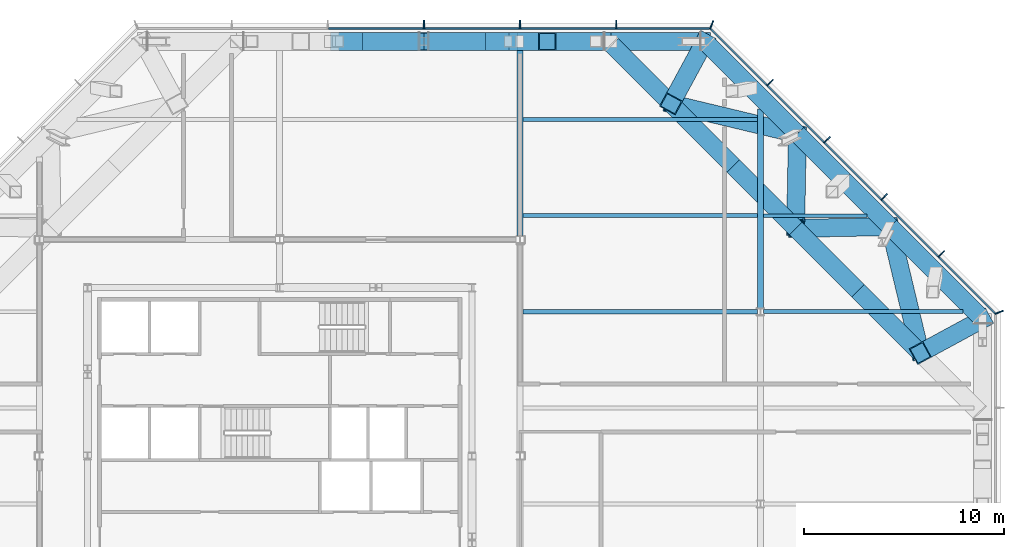
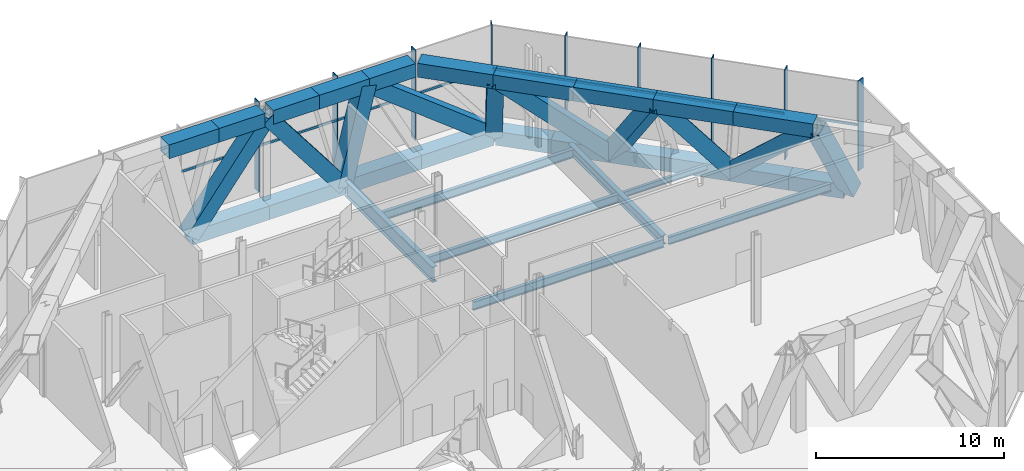
# One storey, part 8 of 18: 37 beams, 18 members, 2 elements without a shape of their own.
"""IFC4 building model written with IfcOpenShell, lengths in metres."""

from ifc_helpers import new_model, si_unit, direction, frame, origin, origin_2d, place, context, subcontext, project, spatial, rectangle, hollow_rectangle, i_section, extrude, material, material_profile, profile_set, type_object, element, aggregate, save


model = new_model("IFC4")

# Units and contexts
model_context = context("Model", 3, precision=1e-05, world=origin(), true_north=direction((0.0, 1.0)))
body_context = subcontext(model_context, "Body", "Model", "MODEL_VIEW")
ifc_project = project(units=[si_unit("LENGTHUNIT", "METRE"), si_unit("AREAUNIT", "SQUARE_METRE"), si_unit("VOLUMEUNIT", "CUBIC_METRE"), si_unit("PLANEANGLEUNIT", "RADIAN"), si_unit("MASSUNIT", "GRAM", prefix="KILO")], contexts=[model_context])

# Site, building, storey
site_placement = place(None, origin())
site = spatial("IfcSite", under=ifc_project, at=site_placement, CompositionType="ELEMENT")
building_placement = place(site_placement, origin())
building = spatial("IfcBuilding", under=site, at=building_placement, Name="Cairn Pilgrim Tower", CompositionType="ELEMENT")
storey_placement = place(building_placement, frame((0.0, 0.0, 204.60009765625)))
storey = spatial("IfcBuildingStorey", under=building, at=storey_placement, Name="L52", CompositionType="ELEMENT", Elevation=204.60009765625)

# Beams
ifc_material_1 = material(Name="Structural steel S460M", Category="steel")
ifc_material_profile_1 = material_profile(ifc_material_1, hollow_rectangle(XDim=0.89990234375, YDim=0.89990234375, WallThickness=0.050048828125, at=origin_2d()), Name="BOX 900x900x50")
ifc_profile_set_1 = profile_set([ifc_material_profile_1], Name="Structural steel S460M")
beam_type_1 = type_object("IfcBeamType", Name="BOX 900x900x50 CHORD", PredefinedType="USERDEFINED", material=ifc_profile_set_1)
beam_1_placement = place(storey_placement, frame((42.1328125, 9.394287109375, -0.7001953125), z_axis=(-0.707106781187, 0.707106781187, 0.0), x_axis=(-0.707106781187, -0.707106781187, 0.0)))
element("IfcBeam", 1, at=beam_1_placement, inside=storey, type_object=beam_type_1, Name="BT52-NE-BC1", ObjectType="CHORD", PredefinedType="USERDEFINED", context=body_context, shape_type="SweptSolid", body=[
    extrude(hollow_rectangle(XDim=0.89990234375, YDim=0.89990234375, WallThickness=0.050048828125, at=origin_2d()), origin(), (0.0, 0.0, 1.0), 3.033447265625),
])
beam_2_placement = place(storey_placement, frame((39.98779296875, 11.539306640625, -0.7001953125), z_axis=(-0.707069448129, 0.707144112273, 0.0), x_axis=(-0.707144112273, -0.707069448129, 0.0)))
element("IfcBeam", 2, at=beam_2_placement, inside=storey, type_object=beam_type_1, Name="BT52-NE-BC2", ObjectType="CHORD", PredefinedType="USERDEFINED", context=body_context, shape_type="SweptSolid", body=[
    extrude(hollow_rectangle(XDim=0.89990234375, YDim=0.89990234375, WallThickness=0.050048828125, at=origin_2d()), origin(), (0.0, 0.0, 1.0), 3.269775390625),
])
beam_3_placement = place(storey_placement, frame((39.18798828125, 7.539306640625, 5.39990234375), z_axis=(-0.707106781187, 0.707106781187, 0.0), x_axis=(-0.707106781187, -0.707106781187, 0.0)))
element("IfcBeam", 3, at=beam_3_placement, inside=storey, type_object=beam_type_1, Name="BT52-NE-TC2", ObjectType="CHORD", PredefinedType="USERDEFINED", context=body_context, shape_type="SweptSolid", body=[
    extrude(hollow_rectangle(XDim=0.89990234375, YDim=0.89990234375, WallThickness=0.050048828125, at=origin_2d()), origin(), (0.0, 0.0, 1.0), 4.4013671875),
])
beam_4_placement = place(storey_placement, frame((37.67578125, 13.8515625, -0.7001953125), z_axis=(-0.707144112273, 0.707069448129, 0.0), x_axis=(-0.707069448129, -0.707144112273, 0.0)))
element("IfcBeam", 4, at=beam_4_placement, inside=storey, type_object=beam_type_1, Name="BT52-NE-BC3", ObjectType="CHORD", PredefinedType="USERDEFINED", context=body_context, shape_type="SweptSolid", body=[
    extrude(hollow_rectangle(XDim=0.89990234375, YDim=0.89990234375, WallThickness=0.050048828125, at=origin_2d()), origin(), (0.0, 0.0, 1.0), 3.269775390625),
])
beam_5_placement = place(storey_placement, frame((36.07568359375, 10.651611328125, 5.39990234375), z_axis=(-0.707106781187, 0.707106781187, 0.0), x_axis=(-0.707106781187, -0.707106781187, 0.0)))
element("IfcBeam", 5, at=beam_5_placement, inside=storey, type_object=beam_type_1, Name="BT52-NE-TC3", ObjectType="CHORD", PredefinedType="USERDEFINED", context=body_context, shape_type="SweptSolid", body=[
    extrude(hollow_rectangle(XDim=0.89990234375, YDim=0.89990234375, WallThickness=0.050048828125, at=origin_2d()), origin(), (0.0, 0.0, 1.0), 4.401123046875),
])
beam_6_placement = place(storey_placement, frame((35.363525390625, 16.16357421875, -0.7001953125), z_axis=(-0.707106781187, 0.707106781187, 0.0), x_axis=(-0.707106781187, -0.707106781187, 0.0)))
element("IfcBeam", 6, at=beam_6_placement, inside=storey, type_object=beam_type_1, Name="BT52-NE-BC4", ObjectType="CHORD", PredefinedType="USERDEFINED", context=body_context, shape_type="SweptSolid", body=[
    extrude(hollow_rectangle(XDim=0.89990234375, YDim=0.89990234375, WallThickness=0.050048828125, at=origin_2d()), origin(), (0.0, 0.0, 1.0), 3.269775390625),
])
beam_7_placement = place(storey_placement, frame((32.963623046875, 13.763671875, 5.39990234375), z_axis=(-0.707106781187, 0.707106781187, 0.0), x_axis=(-0.707106781187, -0.707106781187, 0.0)))
element("IfcBeam", 7, at=beam_7_placement, inside=storey, type_object=beam_type_1, Name="BT52-NE-TC4", ObjectType="CHORD", PredefinedType="USERDEFINED", context=body_context, shape_type="SweptSolid", body=[
    extrude(hollow_rectangle(XDim=0.89990234375, YDim=0.89990234375, WallThickness=0.050048828125, at=origin_2d()), origin(), (0.0, 0.0, 1.0), 4.401123046875),
])
beam_8_placement = place(storey_placement, frame((33.051513671875, 18.4755859375, -0.7001953125), z_axis=(-0.707106781187, 0.707106781187, 0.0), x_axis=(-0.707106781187, -0.707106781187, 0.0)))
element("IfcBeam", 8, at=beam_8_placement, inside=storey, type_object=beam_type_1, Name="BT52-NE-BC5", ObjectType="CHORD", PredefinedType="USERDEFINED", context=body_context, shape_type="SweptSolid", body=[
    extrude(hollow_rectangle(XDim=0.89990234375, YDim=0.89990234375, WallThickness=0.050048828125, at=origin_2d()), origin(), (0.0, 0.0, 1.0), 3.27001953125),
])
beam_9_placement = place(storey_placement, frame((29.8515625, 16.875732421875, 5.39990234375), z_axis=(-0.707134515759, 0.707079045527, 0.0), x_axis=(-0.707079045527, -0.707134515759, 0.0)))
element("IfcBeam", 9, at=beam_9_placement, inside=storey, type_object=beam_type_1, Name="BT52-NE-TC5", ObjectType="CHORD", PredefinedType="USERDEFINED", context=body_context, shape_type="SweptSolid", body=[
    extrude(hollow_rectangle(XDim=0.89990234375, YDim=0.89990234375, WallThickness=0.050048828125, at=origin_2d()), origin(), (0.0, 0.0, 1.0), 4.4013671875),
])
beam_10_placement = place(storey_placement, frame((30.7392578125, 20.787841796875, -0.7001953125), z_axis=(-0.707066537211, 0.707147022872, 0.0), x_axis=(-0.707147022872, -0.707066537211, 0.0)))
element("IfcBeam", 10, at=beam_10_placement, inside=storey, type_object=beam_type_1, Name="BT52-NE-BC6", ObjectType="CHORD", PredefinedType="USERDEFINED", context=body_context, shape_type="SweptSolid", body=[
    extrude(hollow_rectangle(XDim=0.89990234375, YDim=0.89990234375, WallThickness=0.050048828125, at=origin_2d()), origin(), (0.0, 0.0, 1.0), 3.033447265625),
])
beam_11_placement = place(storey_placement, frame((26.7392578125, 19.98779296875, 5.39990234375), z_axis=(-0.707077470453, 0.707136090705, 0.0), x_axis=(-0.707136090705, -0.707077470453, 0.0)))
element("IfcBeam", 11, at=beam_11_placement, inside=storey, type_object=beam_type_1, Name="BT52-NE-TC6", ObjectType="CHORD", PredefinedType="USERDEFINED", context=body_context, shape_type="SweptSolid", body=[
    extrude(hollow_rectangle(XDim=0.89990234375, YDim=0.89990234375, WallThickness=0.050048828125, at=origin_2d()), origin(), (0.0, 0.0, 1.0), 4.164794921875),
])
beam_12_placement = place(storey_placement, frame((28.19091796875, 23.10009765625, -0.7001953125), z_axis=(-1.0, 0.0, 0.0), x_axis=(0.0, -1.0, 0.0)))
element("IfcBeam", 12, at=beam_12_placement, inside=storey, type_object=beam_type_1, Name="BT52-N-BC1", ObjectType="CHORD", PredefinedType="USERDEFINED", context=body_context, shape_type="SweptSolid", body=[
    extrude(hollow_rectangle(XDim=0.89990234375, YDim=0.89990234375, WallThickness=0.050048828125, at=origin_2d()), origin(), (0.0, 0.0, 1.0), 4.439453125),
])
beam_13_placement = place(storey_placement, frame((23.390869140625, 23.10009765625, 5.39990234375), z_axis=(-1.0, 0.0, 0.0), x_axis=(0.0, -1.0, 0.0)))
element("IfcBeam", 13, at=beam_13_placement, inside=storey, type_object=beam_type_1, Name="BT52-N-TC1", ObjectType="CHORD", PredefinedType="USERDEFINED", context=body_context, shape_type="SweptSolid", body=[
    extrude(hollow_rectangle(XDim=0.89990234375, YDim=0.89990234375, WallThickness=0.050048828125, at=origin_2d()), origin(), (0.0, 0.0, 1.0), 2.83935546875),
])
beam_14_placement = place(storey_placement, frame((23.75146484375, 23.10009765625, -0.7001953125), z_axis=(-1.0, 0.0, 0.0), x_axis=(0.0, -1.0, 0.0)))
element("IfcBeam", 14, at=beam_14_placement, inside=storey, type_object=beam_type_1, Name="BT52-N-BC2", ObjectType="CHORD", PredefinedType="USERDEFINED", context=body_context, shape_type="SweptSolid", body=[
    extrude(hollow_rectangle(XDim=0.89990234375, YDim=0.89990234375, WallThickness=0.050048828125, at=origin_2d()), origin(), (0.0, 0.0, 1.0), 4.67578125),
])
beam_15_placement = place(storey_placement, frame((20.551513671875, 23.10009765625, 5.39990234375), z_axis=(-1.0, 0.0, 0.0), x_axis=(0.0, -1.0, 0.0)))
element("IfcBeam", 15, at=beam_15_placement, inside=storey, type_object=beam_type_1, Name="BT52-N-TC2", ObjectType="CHORD", PredefinedType="USERDEFINED", context=body_context, shape_type="SweptSolid", body=[
    extrude(hollow_rectangle(XDim=0.89990234375, YDim=0.89990234375, WallThickness=0.050048828125, at=origin_2d()), origin(), (0.0, 0.0, 1.0), 3.075927734375),
])
beam_16_placement = place(storey_placement, frame((19.07568359375, 23.10009765625, -0.7001953125), z_axis=(-1.0, 0.0, 0.0), x_axis=(0.0, -1.0, 0.0)))
element("IfcBeam", 16, at=beam_16_placement, inside=storey, type_object=beam_type_1, Name="BT52-N-BC3", ObjectType="CHORD", PredefinedType="USERDEFINED", context=body_context, shape_type="SweptSolid", body=[
    extrude(hollow_rectangle(XDim=0.89990234375, YDim=0.89990234375, WallThickness=0.050048828125, at=origin_2d()), origin(), (0.0, 0.0, 1.0), 4.67578125),
])
beam_17_placement = place(storey_placement, frame((17.4755859375, 23.10009765625, 5.39990234375), z_axis=(-1.0, 0.0, 0.0), x_axis=(0.0, -1.0, 0.0)))
element("IfcBeam", 17, at=beam_17_placement, inside=storey, type_object=beam_type_1, Name="BT52-N-TC3", ObjectType="CHORD", PredefinedType="USERDEFINED", context=body_context, shape_type="SweptSolid", body=[
    extrude(hollow_rectangle(XDim=0.89990234375, YDim=0.89990234375, WallThickness=0.050048828125, at=origin_2d()), origin(), (0.0, 0.0, 1.0), 2.82763671875),
])
beam_18_placement = place(storey_placement, frame((14.39990234375, 23.10009765625, -0.7001953125), z_axis=(-1.0, 0.0, 0.0), x_axis=(0.0, -1.0, 0.0)))
element("IfcBeam", 18, at=beam_18_placement, inside=storey, type_object=beam_type_1, Name="BT52-N-BC4", ObjectType="CHORD", PredefinedType="USERDEFINED", context=body_context, shape_type="SweptSolid", body=[
    extrude(hollow_rectangle(XDim=0.89990234375, YDim=0.89990234375, WallThickness=0.050048828125, at=origin_2d()), origin(), (0.0, 0.0, 1.0), 4.675537109375),
])
beam_19_placement = place(storey_placement, frame((14.152099609375, 23.10009765625, 5.39990234375), z_axis=(-1.0, 0.0, 0.0), x_axis=(0.0, -1.0, 0.0)))
element("IfcBeam", 19, at=beam_19_placement, inside=storey, type_object=beam_type_1, Name="BT52-N-TC4", ObjectType="CHORD", PredefinedType="USERDEFINED", context=body_context, shape_type="SweptSolid", body=[
    extrude(hollow_rectangle(XDim=0.89990234375, YDim=0.89990234375, WallThickness=0.050048828125, at=origin_2d()), origin(), (0.0, 0.0, 1.0), 2.827880859375),
])
beam_20_placement = place(storey_placement, frame((11.32421875, 23.10009765625, 5.39990234375), z_axis=(-1.0, 0.0, 0.0), x_axis=(0.0, -1.0, 0.0)))
element("IfcBeam", 20, at=beam_20_placement, inside=storey, type_object=beam_type_1, Name="BT52-N-TC5", ObjectType="CHORD", PredefinedType="USERDEFINED", context=body_context, shape_type="SweptSolid", body=[
    extrude(hollow_rectangle(XDim=0.89990234375, YDim=0.89990234375, WallThickness=0.050048828125, at=origin_2d()), origin(), (0.0, 0.0, 1.0), 3.07568359375),
])
ifc_material_profile_2 = material_profile(ifc_material_1, hollow_rectangle(XDim=0.89990234375, YDim=0.89990234375, WallThickness=0.050048828125, at=origin_2d()), Name="BOX 900x900x50")
ifc_profile_set_2 = profile_set([ifc_material_profile_2], Name="Structural steel S460M")
beam_type_2 = type_object("IfcBeamType", Name="BOX 900x900x50 DIAGONAL", PredefinedType="USERDEFINED", material=ifc_profile_set_2)
beam_21_placement = place(storey_placement, frame((42.300048828125, 9.227294921875, -0.7001953125), z_axis=(-0.44123657139, -0.239327657848, 0.864888756001), x_axis=(0.476782909036, -0.879021079185, 0.0)))
element("IfcBeam", 21, at=beam_21_placement, inside=storey, type_object=beam_type_2, Name="BT52-NE-D1", ObjectType="DIAGONAL", PredefinedType="USERDEFINED", context=body_context, shape_type="SweptSolid", body=[
    extrude(hollow_rectangle(XDim=0.89990234375, YDim=0.89990234375, WallThickness=0.050048828125, at=origin_2d()), origin(), (0.0, 0.0, 1.0), 7.052978515625),
])
beam_22_placement = place(storey_placement, frame((39.18798828125, 7.539306640625, 5.39990234375), z_axis=(-0.169768931579, 0.708649616723, -0.684831534459), x_axis=(-0.972482817608, -0.232974611188, 0.0)))
element("IfcBeam", 22, at=beam_22_placement, inside=storey, type_object=beam_type_2, Name="BT52-NE-D2", ObjectType="DIAGONAL", PredefinedType="USERDEFINED", context=body_context, shape_type="SweptSolid", body=[
    extrude(hollow_rectangle(XDim=0.89990234375, YDim=0.89990234375, WallThickness=0.050048828125, at=origin_2d()), origin(), (0.0, 0.0, 1.0), 8.907470703125),
])
beam_23_placement = place(storey_placement, frame((37.67578125, 13.8515625, -0.7001953125), z_axis=(-0.611281557072, -0.011401552279, 0.791331070152), x_axis=(0.018648639741, -0.999826098997, 0.0)))
element("IfcBeam", 23, at=beam_23_placement, inside=storey, type_object=beam_type_2, Name="BT52-NE-D3", ObjectType="DIAGONAL", PredefinedType="USERDEFINED", context=body_context, shape_type="SweptSolid", body=[
    extrude(hollow_rectangle(XDim=0.89990234375, YDim=0.89990234375, WallThickness=0.050048828125, at=origin_2d()), origin(), (0.0, 0.0, 1.0), 7.708740234375),
])
beam_24_placement = place(storey_placement, frame((32.963623046875, 13.763671875, 5.39990234375), z_axis=(0.011401773013, 0.611261719859, -0.791346390279), x_axis=(-0.999826080981, 0.018649605656, 0.0)))
element("IfcBeam", 24, at=beam_24_placement, inside=storey, type_object=beam_type_2, Name="BT52-NE-D4", ObjectType="DIAGONAL", PredefinedType="USERDEFINED", context=body_context, shape_type="SweptSolid", body=[
    extrude(hollow_rectangle(XDim=0.89990234375, YDim=0.89990234375, WallThickness=0.050048828125, at=origin_2d()), origin(), (0.0, 0.0, 1.0), 7.70849609375),
])
beam_25_placement = place(storey_placement, frame((33.051513671875, 18.4755859375, -0.7001953125), z_axis=(-0.708649616723, 0.169768931579, 0.684831534459), x_axis=(-0.232974611188, -0.972482817608, 0.0)))
element("IfcBeam", 25, at=beam_25_placement, inside=storey, type_object=beam_type_2, Name="BT52-NE-D5", ObjectType="DIAGONAL", PredefinedType="USERDEFINED", context=body_context, shape_type="SweptSolid", body=[
    extrude(hollow_rectangle(XDim=0.89990234375, YDim=0.89990234375, WallThickness=0.050048828125, at=origin_2d()), origin(), (0.0, 0.0, 1.0), 8.907470703125),
])
beam_26_placement = place(storey_placement, frame((26.7392578125, 19.98779296875, 5.39990234375), z_axis=(0.239324002447, 0.441264446514, -0.864875546015), x_axis=(-0.879036753666, 0.476754009637, 0.0)))
element("IfcBeam", 26, at=beam_26_placement, inside=storey, type_object=beam_type_2, Name="BT52-NE-D6", ObjectType="DIAGONAL", PredefinedType="USERDEFINED", context=body_context, shape_type="SweptSolid", body=[
    extrude(hollow_rectangle(XDim=0.89990234375, YDim=0.89990234375, WallThickness=0.050048828125, at=origin_2d()), origin(), (0.0, 0.0, 1.0), 7.05322265625),
])
beam_27_placement = place(storey_placement, frame((28.42724609375, 23.10009765625, -0.7001953125), z_axis=(-0.790589750106, 0.0, 0.612346182341), x_axis=(0.0, -1.0, 0.0)))
element("IfcBeam", 27, at=beam_27_placement, inside=storey, type_object=beam_type_2, Name="BT52-N-D1", ObjectType="DIAGONAL", PredefinedType="USERDEFINED", context=body_context, shape_type="SweptSolid", body=[
    extrude(hollow_rectangle(XDim=0.89990234375, YDim=0.89990234375, WallThickness=0.050048828125, at=origin_2d()), origin(), (0.0, 0.0, 1.0), 9.9619140625),
])
beam_28_placement = place(storey_placement, frame((20.551513671875, 23.10009765625, 5.39990234375), z_axis=(-0.235151316301, 0.0, -0.971958774044), x_axis=(0.0, -1.0, 0.0)))
element("IfcBeam", 28, at=beam_28_placement, inside=storey, type_object=beam_type_2, Name="BT52-N-D2", ObjectType="DIAGONAL", PredefinedType="USERDEFINED", context=body_context, shape_type="SweptSolid", body=[
    extrude(hollow_rectangle(XDim=0.89990234375, YDim=0.89990234375, WallThickness=0.050048828125, at=origin_2d()), origin(), (0.0, 0.0, 1.0), 6.276123046875),
])
beam_29_placement = place(storey_placement, frame((19.07568359375, 23.10009765625, -0.7001953125), z_axis=(-0.608352851952, 0.0, 0.793666685405), x_axis=(0.0, -1.0, 0.0)))
element("IfcBeam", 29, at=beam_29_placement, inside=storey, type_object=beam_type_2, Name="BT52-N-D3", ObjectType="DIAGONAL", PredefinedType="USERDEFINED", context=body_context, shape_type="SweptSolid", body=[
    extrude(hollow_rectangle(XDim=0.89990234375, YDim=0.89990234375, WallThickness=0.050048828125, at=origin_2d()), origin(), (0.0, 0.0, 1.0), 7.68603515625),
])
beam_30_placement = place(storey_placement, frame((14.39990234375, 23.10009765625, 5.39990234375), z_axis=(-0.608332842725, 0.0, -0.793682022262), x_axis=(0.0, -1.0, 0.0)))
element("IfcBeam", 30, at=beam_30_placement, inside=storey, type_object=beam_type_2, Name="BT52-N-D4", ObjectType="DIAGONAL", PredefinedType="USERDEFINED", context=body_context, shape_type="SweptSolid", body=[
    extrude(hollow_rectangle(XDim=0.89990234375, YDim=0.89990234375, WallThickness=0.050048828125, at=origin_2d()), origin(), (0.0, 0.0, 1.0), 7.685791015625),
])

# Curtain wall, members
ifc_material_2 = material(Name="Aluminium alloy 6063-T6 bronze anodised with Bronze tinted laminated low-E glass 8+16+8.8", Category="aluminium")
curtain_wall_type = type_object("IfcCurtainWallType", Name="PLANT LOUVRE CURTAIN WALL", PredefinedType="NOTDEFINED", material=ifc_material_2)
curtain_wall_1_placement = place(storey_placement, origin())
curtain_wall_1 = element("IfcCurtainWall", 31, at=curtain_wall_1_placement, inside=storey, type_object=curtain_wall_type, Name="Plant Louvre Curtain Wall NE", PredefinedType="NOTDEFINED")
ifc_material_3 = material(Name="Aluminium alloy 6063-T6 bronze anodised", Category="aluminium")
ifc_material_profile_3 = material_profile(ifc_material_3, rectangle(XDim=0.449951171875, YDim=0.06005859375, at=origin_2d()), Name="FIN MULLION 60x450 BRONZE")
ifc_profile_set_3 = profile_set([ifc_material_profile_3], Name="Aluminium alloy 6063-T6 bronze anodised")
member_type_1 = type_object("IfcMemberType", Name="FIN MULLION 60x450 BRONZE", PredefinedType="MULLION", material=ifc_profile_set_3)
member_1_placement = place(storey_placement, frame((43.130126953125, 9.571044921875, 0.0), z_axis=(0.0, 0.0, 1.0), x_axis=(0.923879532511, 0.382683432365, 0.0)))
member_1 = element("IfcMember", 32, at=member_1_placement, type_object=member_type_1, Name="Fin mullion NE1", PredefinedType="MULLION", context=body_context, shape_type="SweptSolid", body=[
    extrude(rectangle(XDim=0.449951171875, YDim=0.06005859375, at=origin_2d()), origin(), (0.0, 0.0, 1.0), 5.849853515625),
])
member_2_placement = place(storey_placement, frame((40.237060546875, 12.485107421875, 0.0), z_axis=(0.0, 0.0, 1.0), x_axis=(0.707106781187, 0.707106781187, 0.0)))
member_2 = element("IfcMember", 33, at=member_2_placement, type_object=member_type_1, Name="Fin mullion NE2", PredefinedType="MULLION", context=body_context, shape_type="SweptSolid", body=[
    extrude(rectangle(XDim=0.449951171875, YDim=0.06005859375, at=origin_2d()), origin(), (0.0, 0.0, 1.0), 5.849853515625),
])
member_3_placement = place(storey_placement, frame((37.386474609375, 15.335693359375, 0.0), z_axis=(0.0, 0.0, 1.0), x_axis=(0.707106781187, 0.707106781187, 0.0)))
member_3 = element("IfcMember", 34, at=member_3_placement, type_object=member_type_1, Name="Fin mullion NE3", PredefinedType="MULLION", context=body_context, shape_type="SweptSolid", body=[
    extrude(rectangle(XDim=0.449951171875, YDim=0.06005859375, at=origin_2d()), origin(), (0.0, 0.0, 1.0), 5.849853515625),
])
member_4_placement = place(storey_placement, frame((34.53564453125, 18.1865234375, 0.0), z_axis=(0.0, 0.0, 1.0), x_axis=(0.707106781187, 0.707106781187, 0.0)))
member_4 = element("IfcMember", 35, at=member_4_placement, type_object=member_type_1, Name="Fin mullion NE4", PredefinedType="MULLION", context=body_context, shape_type="SweptSolid", body=[
    extrude(rectangle(XDim=0.449951171875, YDim=0.06005859375, at=origin_2d()), origin(), (0.0, 0.0, 1.0), 5.849853515625),
])
member_5_placement = place(storey_placement, frame((31.68505859375, 21.037109375, 0.0), z_axis=(0.0, 0.0, 1.0), x_axis=(0.707106781187, 0.707106781187, 0.0)))
member_5 = element("IfcMember", 36, at=member_5_placement, type_object=member_type_1, Name="Fin mullion NE5", PredefinedType="MULLION", context=body_context, shape_type="SweptSolid", body=[
    extrude(rectangle(XDim=0.449951171875, YDim=0.06005859375, at=origin_2d()), origin(), (0.0, 0.0, 1.0), 5.849853515625),
])

curtain_wall_2_placement = place(storey_placement, origin())
curtain_wall_2 = element("IfcCurtainWall", 37, at=curtain_wall_2_placement, inside=storey, type_object=curtain_wall_type, Name="Plant Louvre Curtain Wall N", PredefinedType="NOTDEFINED")
member_6_placement = place(storey_placement, frame((28.77099609375, 23.93017578125, 0.0), z_axis=(0.0, 0.0, 1.0), x_axis=(0.382683432365, 0.923879532511, 0.0)))
member_6 = element("IfcMember", 38, at=member_6_placement, type_object=member_type_1, Name="Fin mullion N1", PredefinedType="MULLION", context=body_context, shape_type="SweptSolid", body=[
    extrude(rectangle(XDim=0.449951171875, YDim=0.06005859375, at=origin_2d()), origin(), (0.0, 0.0, 1.0), 5.849853515625),
])
member_7_placement = place(storey_placement, frame((24.0, 23.945068359375, 0.0), z_axis=(0.0, 0.0, 1.0), x_axis=(0.0, 1.0, 0.0)))
member_7 = element("IfcMember", 39, at=member_7_placement, type_object=member_type_1, Name="Fin mullion N2", PredefinedType="MULLION", context=body_context, shape_type="SweptSolid", body=[
    extrude(rectangle(XDim=0.449951171875, YDim=0.06005859375, at=origin_2d()), origin(), (0.0, 0.0, 1.0), 5.849853515625),
])
member_8_placement = place(storey_placement, frame((19.199951171875, 23.945068359375, 0.0), z_axis=(0.0, 0.0, 1.0), x_axis=(0.0, 1.0, 0.0)))
member_8 = element("IfcMember", 40, at=member_8_placement, type_object=member_type_1, Name="Fin mullion N3", PredefinedType="MULLION", context=body_context, shape_type="SweptSolid", body=[
    extrude(rectangle(XDim=0.449951171875, YDim=0.06005859375, at=origin_2d()), origin(), (0.0, 0.0, 1.0), 5.849853515625),
])
member_9_placement = place(storey_placement, frame((14.39990234375, 23.945068359375, 0.0), z_axis=(0.0, 0.0, 1.0), x_axis=(0.0, 1.0, 0.0)))
member_9 = element("IfcMember", 41, at=member_9_placement, type_object=member_type_1, Name="Fin mullion N4", PredefinedType="MULLION", context=body_context, shape_type="SweptSolid", body=[
    extrude(rectangle(XDim=0.449951171875, YDim=0.06005859375, at=origin_2d()), origin(), (0.0, 0.0, 1.0), 5.849853515625),
])

# Beams
ifc_material_4 = material(Name="Structural steel S355J2", Category="steel")
ifc_material_profile_4 = material_profile(ifc_material_4, i_section(OverallWidth=0.300048828125, OverallDepth=0.60009765625, WebThickness=0.015380859375, FlangeThickness=0.030029296875, FilletRadius=0.027099609375, at=origin_2d()), Name="HEB 600")
ifc_profile_set_4 = profile_set([ifc_material_profile_4], Name="Structural steel S355J2")
beam_type_3 = type_object("IfcBeamType", Name="HEB 600 GIRDER", PredefinedType="BEAM", material=ifc_profile_set_4)
beam_31_placement = place(storey_placement, frame((31.199951171875, 9.799560546875, -0.550048828125), z_axis=(0.0, 1.0, 0.0), x_axis=(-1.0, 0.0, 0.0)))
element("IfcBeam", 42, at=beam_31_placement, inside=storey, type_object=beam_type_3, Name="PG5-4", PredefinedType="BEAM", context=body_context, shape_type="SweptSolid", body=[
    extrude(i_section(OverallWidth=0.300048828125, OverallDepth=0.60009765625, WebThickness=0.015380859375, FlangeThickness=0.030029296875, FilletRadius=0.027099609375, at=origin_2d()), origin(), (0.0, 0.0, 1.0), 9.921142578125),
])
ifc_material_profile_5 = material_profile(ifc_material_4, i_section(OverallWidth=0.302001953125, OverallDepth=1.008056640625, WebThickness=0.02099609375, FlangeThickness=0.0400390625, FilletRadius=0.030029296875, at=origin_2d()), Name="HEM 1000")
ifc_profile_set_5 = profile_set([ifc_material_profile_5], Name="Structural steel S355J2")
beam_type_4 = type_object("IfcBeamType", Name="HEM 1000 GIRDER", PredefinedType="BEAM", material=ifc_profile_set_5)
beam_32_placement = place(storey_placement, frame((19.199951171875, 13.3994140625, -0.754150390625), z_axis=(0.0, 1.0, 0.0), x_axis=(-1.0, 0.0, 0.0)))
element("IfcBeam", 43, at=beam_32_placement, inside=storey, type_object=beam_type_4, Name="PG4-4", PredefinedType="BEAM", context=body_context, shape_type="SweptSolid", body=[
    extrude(i_section(OverallWidth=0.302001953125, OverallDepth=1.008056640625, WebThickness=0.02099609375, FlangeThickness=0.0400390625, FilletRadius=0.030029296875, at=origin_2d()), origin(), (0.0, 0.0, 1.0), 9.280517578125),
])
ifc_material_profile_6 = material_profile(ifc_material_4, i_section(OverallWidth=0.169921875, OverallDepth=0.360107421875, WebThickness=0.008056640625, FlangeThickness=0.0126953125, FilletRadius=0.01806640625, at=origin_2d()), Name="IPE 360")
ifc_profile_set_6 = profile_set([ifc_material_profile_6], Name="Structural steel S355J2")
beam_type_5 = type_object("IfcBeamType", Name="IPE 360 SECONDARY BEAM", PredefinedType="JOIST", material=ifc_profile_set_6)
beam_33_placement = place(storey_placement, frame((31.35009765625, 14.39990234375, -0.43017578125), z_axis=(1.0, 0.0, 0.0), x_axis=(0.0, 1.0, 0.0)))
element("IfcBeam", 44, at=beam_33_placement, inside=storey, type_object=beam_type_5, Name="SB8-3", PredefinedType="JOIST", context=body_context, shape_type="SweptSolid", body=[
    extrude(i_section(OverallWidth=0.169921875, OverallDepth=0.360107421875, WebThickness=0.008056640625, FlangeThickness=0.0126953125, FilletRadius=0.01806640625, at=origin_2d()), origin(), (0.0, 0.0, 1.0), 5.170654296875),
])
ifc_material_profile_7 = material_profile(ifc_material_4, i_section(OverallWidth=0.199951171875, OverallDepth=0.5, WebThickness=0.01025390625, FlangeThickness=0.01611328125, FilletRadius=0.02099609375, at=origin_2d()), Name="IPE 500")
ifc_profile_set_7 = profile_set([ifc_material_profile_7], Name="Structural steel S355J2")
beam_type_6 = type_object("IfcBeamType", Name="IPE 500 SECONDARY BEAM", PredefinedType="JOIST", material=ifc_profile_set_7)
beam_34_placement = place(storey_placement, frame((31.35009765625, 9.60009765625, -0.5), z_axis=(1.0, 0.0, 0.0), x_axis=(0.0, 1.0, 0.0)))
element("IfcBeam", 45, at=beam_34_placement, inside=storey, type_object=beam_type_6, Name="SB7-3", PredefinedType="JOIST", context=body_context, shape_type="SweptSolid", body=[
    extrude(i_section(OverallWidth=0.199951171875, OverallDepth=0.5, WebThickness=0.01025390625, FlangeThickness=0.01611328125, FilletRadius=0.02099609375, at=origin_2d()), origin(), (0.0, 0.0, 1.0), 9.970703125),
])
ifc_material_profile_8 = material_profile(ifc_material_4, i_section(OverallWidth=0.2099609375, OverallDepth=0.550048828125, WebThickness=0.010986328125, FlangeThickness=0.01708984375, FilletRadius=0.02392578125, at=origin_2d()), Name="IPE 550")
ifc_profile_set_8 = profile_set([ifc_material_profile_8], Name="Structural steel S355J2")
beam_type_7 = type_object("IfcBeamType", Name="IPE 550 SECONDARY BEAM", PredefinedType="JOIST", material=ifc_profile_set_8)
for number, where, z_axis, x_axis, name in (
    (46, (19.35009765625, 9.60009765625, -0.525146484375), (1.0, 0.0, 0.0), (0.0, 1.0, 0.0), "SB7-2"),
    (47, (19.35009765625, 14.39990234375, -0.525146484375), (1.0, 0.0, 0.0), (0.0, 1.0, 0.0), "SB8-2"),
    (48, (19.35009765625, 19.199951171875, -0.525146484375), (1.0, 0.0, 0.0), (0.0, 1.0, 0.0), "SB9-3"),
):
    element("IfcBeam", number, at=place(storey_placement, frame(where, z_axis=z_axis, x_axis=x_axis)), inside=storey, type_object=beam_type_7, Name=name, PredefinedType="JOIST", context=body_context, shape_type="SweptSolid", body=[
        extrude(i_section(OverallWidth=0.2099609375, OverallDepth=0.550048828125, WebThickness=0.010986328125, FlangeThickness=0.01708984375, FilletRadius=0.02392578125, at=origin_2d()), origin(), (0.0, 0.0, 1.0), 11.699951171875),
    ])

# Member
ifc_material_profile_9 = material_profile(ifc_material_3, rectangle(XDim=0.080078125, YDim=0.14990234375, at=origin_2d()), Name="TRANSOM 80x150 BRONZE")
ifc_profile_set_9 = profile_set([ifc_material_profile_9], Name="Aluminium alloy 6063-T6 bronze anodised")
member_type_2 = type_object("IfcMemberType", Name="TRANSOM 80x150 BRONZE", PredefinedType="USERDEFINED", material=ifc_profile_set_9)
member_10_placement = place(storey_placement, frame((42.921630859375, 9.524658203125, 3.0), z_axis=(-0.707075965734, 0.707137595296, 0.0), x_axis=(-0.707137595296, -0.707075965734, 0.0)))
member_10 = element("IfcMember", 49, at=member_10_placement, type_object=member_type_2, Name="Transom NE1", ObjectType="TRANSOM", PredefinedType="USERDEFINED", context=body_context, shape_type="SweptSolid", body=[
    extrude(rectangle(XDim=0.080078125, YDim=0.14990234375, at=origin_2d()), origin(), (0.0, 0.0, 1.0), 3.96142578125),
])

member_11_placement = place(storey_placement, frame((40.078125, 12.368408203125, 3.0), z_axis=(-0.707106781187, 0.707106781187, 0.0), x_axis=(-0.707106781187, -0.707106781187, 0.0)))
member_11 = element("IfcMember", 50, at=member_11_placement, type_object=member_type_2, Name="Transom NE2", ObjectType="TRANSOM", PredefinedType="USERDEFINED", context=body_context, shape_type="SweptSolid", body=[
    extrude(rectangle(XDim=0.080078125, YDim=0.14990234375, at=origin_2d()), origin(), (0.0, 0.0, 1.0), 3.9716796875),
])

member_12_placement = place(storey_placement, frame((37.227294921875, 15.218994140625, 3.0), z_axis=(-0.707076043427, 0.70713751761, 0.0), x_axis=(-0.70713751761, -0.707076043427, 0.0)))
member_12 = element("IfcMember", 51, at=member_12_placement, type_object=member_type_2, Name="Transom NE3", ObjectType="TRANSOM", PredefinedType="USERDEFINED", context=body_context, shape_type="SweptSolid", body=[
    extrude(rectangle(XDim=0.080078125, YDim=0.14990234375, at=origin_2d()), origin(), (0.0, 0.0, 1.0), 3.971435546875),
])

member_13_placement = place(storey_placement, frame((34.376708984375, 18.06982421875, 3.0), z_axis=(-0.707106781187, 0.707106781187, 0.0), x_axis=(-0.707106781187, -0.707106781187, 0.0)))
member_13 = element("IfcMember", 52, at=member_13_placement, type_object=member_type_2, Name="Transom NE4", ObjectType="TRANSOM", PredefinedType="USERDEFINED", context=body_context, shape_type="SweptSolid", body=[
    extrude(rectangle(XDim=0.080078125, YDim=0.14990234375, at=origin_2d()), origin(), (0.0, 0.0, 1.0), 3.9716796875),
])

member_14_placement = place(storey_placement, frame((31.52587890625, 20.92041015625, 3.0), z_axis=(-0.707106781187, 0.707106781187, 0.0), x_axis=(-0.707106781187, -0.707106781187, 0.0)))
member_14 = element("IfcMember", 53, at=member_14_placement, type_object=member_type_2, Name="Transom NE5", ObjectType="TRANSOM", PredefinedType="USERDEFINED", context=body_context, shape_type="SweptSolid", body=[
    extrude(rectangle(XDim=0.080078125, YDim=0.14990234375, at=origin_2d()), origin(), (0.0, 0.0, 1.0), 3.961669921875),
])

aggregate(curtain_wall_1, [member_1, member_2, member_3, member_4, member_5, member_10, member_11, member_12, member_13, member_14])

member_15_placement = place(storey_placement, frame((28.656494140625, 23.75, 3.0), z_axis=(-1.0, 0.0, 0.0), x_axis=(0.0, -1.0, 0.0)))
member_15 = element("IfcMember", 54, at=member_15_placement, type_object=member_type_2, Name="Transom N1", ObjectType="TRANSOM", PredefinedType="USERDEFINED", context=body_context, shape_type="SweptSolid", body=[
    extrude(rectangle(XDim=0.080078125, YDim=0.14990234375, at=origin_2d()), origin(), (0.0, 0.0, 1.0), 4.62646484375),
])

member_16_placement = place(storey_placement, frame((23.969970703125, 23.75, 3.0), z_axis=(-1.0, 0.0, 0.0), x_axis=(0.0, -1.0, 0.0)))
member_16 = element("IfcMember", 55, at=member_16_placement, type_object=member_type_2, Name="Transom N2", ObjectType="TRANSOM", PredefinedType="USERDEFINED", context=body_context, shape_type="SweptSolid", body=[
    extrude(rectangle(XDim=0.080078125, YDim=0.14990234375, at=origin_2d()), origin(), (0.0, 0.0, 1.0), 4.739990234375),
])

member_17_placement = place(storey_placement, frame((19.169921875, 23.75, 3.0), z_axis=(-1.0, 0.0, 0.0), x_axis=(0.0, -1.0, 0.0)))
member_17 = element("IfcMember", 56, at=member_17_placement, type_object=member_type_2, Name="Transom N3", ObjectType="TRANSOM", PredefinedType="USERDEFINED", context=body_context, shape_type="SweptSolid", body=[
    extrude(rectangle(XDim=0.080078125, YDim=0.14990234375, at=origin_2d()), origin(), (0.0, 0.0, 1.0), 4.739990234375),
])

member_18_placement = place(storey_placement, frame((14.3701171875, 23.75, 3.0), z_axis=(-1.0, 0.0, 0.0), x_axis=(0.0, -1.0, 0.0)))
member_18 = element("IfcMember", 57, at=member_18_placement, type_object=member_type_2, Name="Transom N4", ObjectType="TRANSOM", PredefinedType="USERDEFINED", context=body_context, shape_type="SweptSolid", body=[
    extrude(rectangle(XDim=0.080078125, YDim=0.14990234375, at=origin_2d()), origin(), (0.0, 0.0, 1.0), 4.740234375),
])

aggregate(curtain_wall_2, [member_6, member_7, member_8, member_9, member_15, member_16, member_17, member_18])

save(model, "model.ifc")
